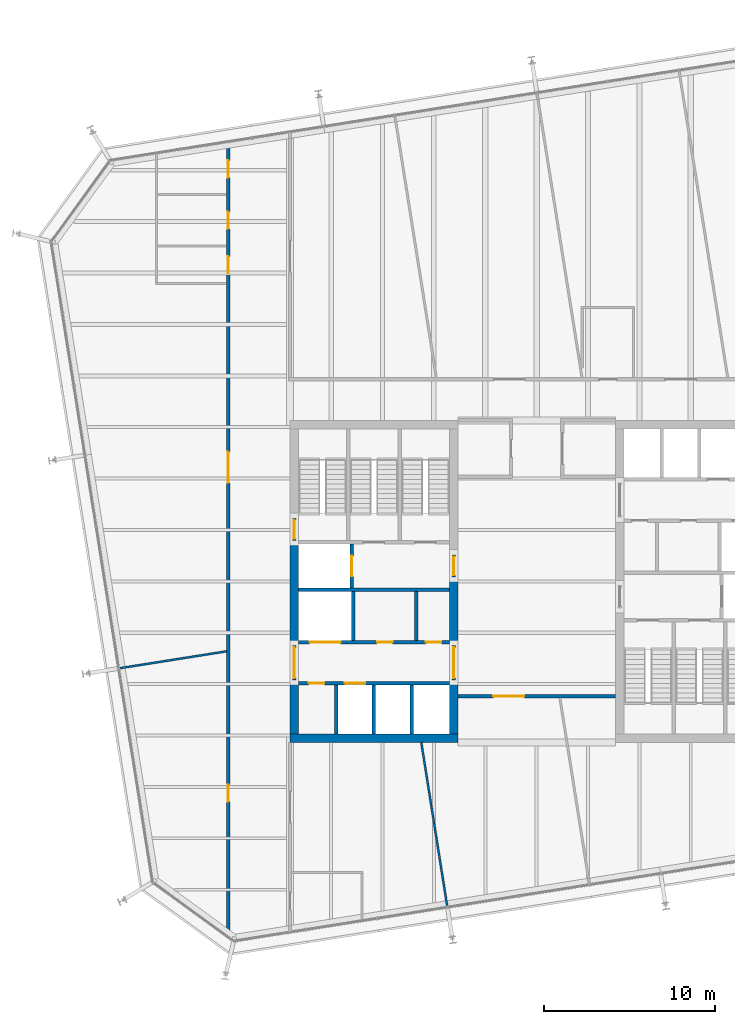
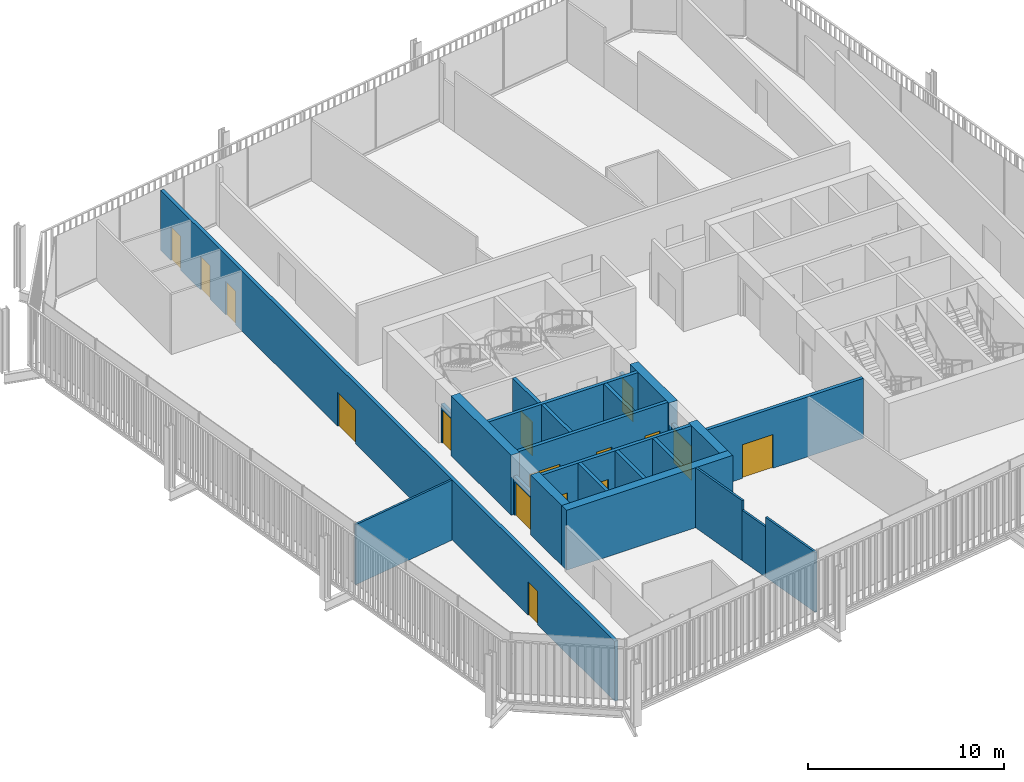
# One storey, part 16 of 20: 24 walls, 16 doors, 16 openings.
"""IFC4 building model written with IfcOpenShell, lengths in metres."""

from ifc_helpers import new_model, si_unit, direction, frame, frame_2d, origin, place, context, subcontext, project, spatial, rectangle, extrude, material, layer, layer_set, type_object, element, fill, save


model = new_model("IFC4")

# Units and contexts
model_context = context("Model", 3, precision=1e-05, world=origin(), true_north=direction((0.0, 1.0)))
body_context = subcontext(model_context, "Body", "Model", "MODEL_VIEW")
ifc_project = project(units=[si_unit("LENGTHUNIT", "METRE"), si_unit("AREAUNIT", "SQUARE_METRE"), si_unit("VOLUMEUNIT", "CUBIC_METRE"), si_unit("PLANEANGLEUNIT", "RADIAN"), si_unit("MASSUNIT", "GRAM", prefix="KILO")], contexts=[model_context])

# Site, building, storey
site_placement = place(None, origin())
site = spatial("IfcSite", under=ifc_project, at=site_placement, CompositionType="ELEMENT")
building_placement = place(site_placement, origin())
building = spatial("IfcBuilding", under=site, at=building_placement, Name="Millrace Tower", CompositionType="ELEMENT")
storey_placement = place(building_placement, frame((0.0, 0.0, 251.300048828125)))
storey = spatial("IfcBuildingStorey", under=building, at=storey_placement, Name="L57", CompositionType="ELEMENT", Elevation=251.300048828125)

# Walls
ifc_material_1 = material(Name="Concrete C60", Category="concrete")
ifc_layer_1 = layer(ifc_material_1, 0.5)
ifc_layer_set_1 = layer_set([ifc_layer_1], Name="Concrete C60")
wall_type_1 = type_object("IfcWallType", Name="Core wall 500 Concrete C60", PredefinedType="SHEAR", material=ifc_layer_set_1)
wall_1_placement = place(storey_placement, frame((-14.39990234375, -9.14990234375, 0.0), z_axis=(0.0, 0.0, 1.0), x_axis=(1.0, 0.0, 0.0)))
element("IfcWall", 1, at=wall_1_placement, inside=storey, type_object=wall_type_1, Name="Core wall W L57", PredefinedType="SHEAR", context=body_context, shape_type="SweptSolid", body=[
    extrude(rectangle(XDim=9.7998046875, YDim=0.5, at=frame_2d((4.89990234375, 0.0))), origin(), (0.0, 0.0, 1.0), 3.739990234375),
])
wall_2_placement = place(storey_placement, frame((-14.14990234375, -8.89990234375, 0.0), z_axis=(0.0, 0.0, 1.0), x_axis=(0.0, 1.0, 0.0)))
element("IfcWall", 2, at=wall_2_placement, inside=storey, type_object=wall_type_1, Name="Core wall W L57", PredefinedType="SHEAR", context=body_context, shape_type="SweptSolid", body=[
    extrude(rectangle(XDim=3.14990234375, YDim=0.5, at=frame_2d((1.574951171875, 0.0))), origin(), (0.0, 0.0, 1.0), 3.739990234375),
])
wall_3_placement = place(storey_placement, frame((-14.14990234375, -3.75, 0.0), z_axis=(0.0, 0.0, 1.0), x_axis=(0.0, 1.0, 0.0)))
element("IfcWall", 3, at=wall_3_placement, inside=storey, type_object=wall_type_1, Name="Core wall W L57", PredefinedType="SHEAR", context=body_context, shape_type="SweptSolid", body=[
    extrude(rectangle(XDim=6.1298828125, YDim=0.5, at=frame_2d((3.06494140625, 0.0))), origin(), (0.0, 0.0, 1.0), 3.739990234375),
])
wall_4_placement = place(storey_placement, frame((-4.85009765625, -8.89990234375, 0.0), z_axis=(0.0, 0.0, 1.0), x_axis=(0.0, 1.0, 0.0)))
element("IfcWall", 4, at=wall_4_placement, inside=storey, type_object=wall_type_1, Name="Core wall W L57", PredefinedType="SHEAR", context=body_context, shape_type="SweptSolid", body=[
    extrude(rectangle(XDim=3.14990234375, YDim=0.5, at=frame_2d((1.574951171875, 0.0))), origin(), (0.0, 0.0, 1.0), 3.739990234375),
])
wall_5_placement = place(storey_placement, frame((-4.85009765625, -3.75, 0.0), z_axis=(0.0, 0.0, 1.0), x_axis=(0.0, 1.0, 0.0)))
element("IfcWall", 5, at=wall_5_placement, inside=storey, type_object=wall_type_1, Name="Core wall W L57", PredefinedType="SHEAR", context=body_context, shape_type="SweptSolid", body=[
    extrude(rectangle(XDim=4.0, YDim=0.5, at=frame_2d((2.0, 0.0))), origin(), (0.0, 0.0, 1.0), 3.739990234375),
])

# Wall, opening, door
ifc_material_2 = material(Name="Masonry partition, fire-rated", Category="masonry")
ifc_layer_2 = layer(ifc_material_2, 0.199951171875)
ifc_layer_set_2 = layer_set([ifc_layer_2], Name="Masonry partition, fire-rated")
wall_type_2 = type_object("IfcWallType", Name="Corridor wall 200", PredefinedType="PARTITIONING", material=ifc_layer_set_2)
wall_6_placement = place(storey_placement, frame((-4.60009765625, -6.699951171875, 0.0), z_axis=(0.0, 0.0, 1.0), x_axis=(1.0, 0.0, 0.0)))
wall_6 = element("IfcWall", 6, at=wall_6_placement, inside=storey, type_object=wall_type_2, Name="Corridor wall L57", PredefinedType="PARTITIONING", context=body_context, shape_type="SweptSolid", body=[
    extrude(rectangle(XDim=9.2001953125, YDim=0.199951171875, at=frame_2d((4.60009765625, 0.0))), origin(), (0.0, 0.0, 1.0), 3.739990234375),
])
opening_1_placement = place(wall_6_placement, frame((2.070068359375, 0.0, 0.0)))
opening_1 = element("IfcOpeningElement", 7, at=opening_1_placement, cuts=wall_6, Name="Opening 57-P013", PredefinedType="OPENING", context=body_context, shape_type="SweptSolid", body=[
    extrude(rectangle(XDim=1.800048828125, YDim=2.10009765625, at=frame_2d((0.89990234375, 1.050048828125))), frame((0.0, 0.10986328125, 0.0), z_axis=(0.0, -1.0, 0.0), x_axis=(1.0, 0.0, 0.0)), (0.0, 0.0, 1.0), 0.219970703125),
])
ifc_material_3 = material(Name="Steel door set, fire-rated", Category="steel")
door_type_1 = type_object("IfcDoorType", Name="Corridor door 1800 x 2100", OperationType="DOUBLE_DOOR_SINGLE_SWING", PredefinedType="DOOR", material=ifc_material_3)
door_1_placement = place(opening_1_placement, frame((1.800048828125, 0.0, 0.0), z_axis=(0.0, 0.0, 1.0), x_axis=(-1.0, 0.0, 0.0)))
door_1 = element("IfcDoor", 8, at=door_1_placement, inside=storey, type_object=door_type_1, Name="Door 57-P013", OperationType="DOUBLE_DOOR_SINGLE_SWING", OverallHeight=2.10009765625, OverallWidth=1.800048828125, PredefinedType="DOOR", context=body_context, shape_type="SweptSolid", body=[
    extrude(rectangle(XDim=1.800048828125, YDim=2.10009765625, at=frame_2d((0.89990234375, 1.050048828125))), frame((0.0, 0.02490234375, 0.0), z_axis=(0.0, -1.0, 0.0), x_axis=(1.0, 0.0, 0.0)), (0.0, 0.0, 1.0), 0.050048828125),
])
fill(opening_1, door_1)

# Wall, openings, doors
wall_7_placement = place(storey_placement, frame((-18.0, -20.72021484375, 0.0), z_axis=(0.0, 0.0, 1.0), x_axis=(0.0, 1.0, 0.0)))
wall_7 = element("IfcWall", 9, at=wall_7_placement, inside=storey, type_object=wall_type_2, Name="Corridor wall L57", PredefinedType="PARTITIONING", context=body_context, shape_type="SweptSolid", body=[
    extrude(rectangle(XDim=46.34814453125, YDim=0.199951171875, at=frame_2d((23.174072265625, 0.0))), origin(), (0.0, 0.0, 1.0), 3.739990234375),
])
opening_2_placement = place(wall_7_placement, frame((7.857177734375, 0.0, 0.0)))
opening_2 = element("IfcOpeningElement", 10, at=opening_2_placement, cuts=wall_7, Name="Opening 57-P003", PredefinedType="OPENING", context=body_context, shape_type="SweptSolid", body=[
    extrude(rectangle(XDim=1.0, YDim=2.10009765625, at=frame_2d((0.5, 1.050048828125))), frame((0.0, 0.10986328125, 0.0), z_axis=(0.0, -1.0, 0.0), x_axis=(1.0, 0.0, 0.0)), (0.0, 0.0, 1.0), 0.219970703125),
])
opening_3_placement = place(wall_7_placement, frame((26.474853515625, 0.0, 0.0)))
opening_3 = element("IfcOpeningElement", 11, at=opening_3_placement, cuts=wall_7, Name="Opening 57-P004", PredefinedType="OPENING", context=body_context, shape_type="SweptSolid", body=[
    extrude(rectangle(XDim=1.800048828125, YDim=2.10009765625, at=frame_2d((0.89990234375, 1.050048828125))), frame((0.0, 0.10986328125, 0.0), z_axis=(0.0, -1.0, 0.0), x_axis=(1.0, 0.0, 0.0)), (0.0, 0.0, 1.0), 0.219970703125),
])
opening_4_placement = place(wall_7_placement, frame((44.29736328125, 0.0, 0.0)))
opening_4 = element("IfcOpeningElement", 12, at=opening_4_placement, cuts=wall_7, Name="Opening 57-P015", PredefinedType="OPENING", context=body_context, shape_type="SweptSolid", body=[
    extrude(rectangle(XDim=1.0, YDim=2.10009765625, at=frame_2d((0.5, 1.050048828125))), frame((0.0, 0.10986328125, 0.0), z_axis=(0.0, -1.0, 0.0), x_axis=(1.0, 0.0, 0.0)), (0.0, 0.0, 1.0), 0.219970703125),
])
opening_5_placement = place(wall_7_placement, frame((41.29736328125, 0.0, 0.0)))
opening_5 = element("IfcOpeningElement", 13, at=opening_5_placement, cuts=wall_7, Name="Opening 57-P016", PredefinedType="OPENING", context=body_context, shape_type="SweptSolid", body=[
    extrude(rectangle(XDim=1.0, YDim=2.10009765625, at=frame_2d((0.5, 1.050048828125))), frame((0.0, 0.10986328125, 0.0), z_axis=(0.0, -1.0, 0.0), x_axis=(1.0, 0.0, 0.0)), (0.0, 0.0, 1.0), 0.219970703125),
])
opening_6_placement = place(wall_7_placement, frame((38.697265625, 0.0, 0.0)))
opening_6 = element("IfcOpeningElement", 14, at=opening_6_placement, cuts=wall_7, Name="Opening 57-P017", PredefinedType="OPENING", context=body_context, shape_type="SweptSolid", body=[
    extrude(rectangle(XDim=1.0, YDim=2.10009765625, at=frame_2d((0.5, 1.050048828125))), frame((0.0, 0.10986328125, 0.0), z_axis=(0.0, -1.0, 0.0), x_axis=(1.0, 0.0, 0.0)), (0.0, 0.0, 1.0), 0.219970703125),
])
ifc_material_4 = material(Name="Steel door set, fire-rated", Category="steel")
door_type_2 = type_object("IfcDoorType", Name="Corridor door 1000 x 2100", OperationType="SINGLE_SWING_LEFT", PredefinedType="DOOR", material=ifc_material_4)
door_2_placement = place(opening_2_placement, origin())
door_2 = element("IfcDoor", 15, at=door_2_placement, inside=storey, type_object=door_type_2, Name="Door 57-P003", OperationType="SINGLE_SWING_LEFT", OverallHeight=2.10009765625, OverallWidth=1.0, PredefinedType="DOOR", context=body_context, shape_type="SweptSolid", body=[
    extrude(rectangle(XDim=1.0, YDim=2.10009765625, at=frame_2d((0.5, 1.050048828125))), frame((0.0, 0.02490234375, 0.0), z_axis=(0.0, -1.0, 0.0), x_axis=(1.0, 0.0, 0.0)), (0.0, 0.0, 1.0), 0.050048828125),
])
fill(opening_2, door_2)
door_3_placement = place(opening_4_placement, origin())
door_3 = element("IfcDoor", 16, at=door_3_placement, inside=storey, type_object=door_type_2, Name="Door 57-P015", OperationType="SINGLE_SWING_RIGHT", OverallHeight=2.10009765625, OverallWidth=1.0, PredefinedType="DOOR", context=body_context, shape_type="SweptSolid", body=[
    extrude(rectangle(XDim=1.0, YDim=2.10009765625, at=frame_2d((0.5, 1.050048828125))), frame((0.0, 0.02490234375, 0.0), z_axis=(0.0, -1.0, 0.0), x_axis=(1.0, 0.0, 0.0)), (0.0, 0.0, 1.0), 0.050048828125),
])
fill(opening_4, door_3)
door_4_placement = place(opening_5_placement, origin())
door_4 = element("IfcDoor", 17, at=door_4_placement, inside=storey, type_object=door_type_2, Name="Door 57-P016", OperationType="SINGLE_SWING_RIGHT", OverallHeight=2.10009765625, OverallWidth=1.0, PredefinedType="DOOR", context=body_context, shape_type="SweptSolid", body=[
    extrude(rectangle(XDim=1.0, YDim=2.10009765625, at=frame_2d((0.5, 1.050048828125))), frame((0.0, 0.02490234375, 0.0), z_axis=(0.0, -1.0, 0.0), x_axis=(1.0, 0.0, 0.0)), (0.0, 0.0, 1.0), 0.050048828125),
])
fill(opening_5, door_4)
door_5_placement = place(opening_6_placement, origin())
door_5 = element("IfcDoor", 18, at=door_5_placement, inside=storey, type_object=door_type_2, Name="Door 57-P017", OperationType="SINGLE_SWING_RIGHT", OverallHeight=2.10009765625, OverallWidth=1.0, PredefinedType="DOOR", context=body_context, shape_type="SweptSolid", body=[
    extrude(rectangle(XDim=1.0, YDim=2.10009765625, at=frame_2d((0.5, 1.050048828125))), frame((0.0, 0.02490234375, 0.0), z_axis=(0.0, -1.0, 0.0), x_axis=(1.0, 0.0, 0.0)), (0.0, 0.0, 1.0), 0.050048828125),
])
fill(opening_6, door_5)
door_6_placement = place(opening_3_placement, frame((1.800048828125, 0.0, 0.0), z_axis=(0.0, 0.0, 1.0), x_axis=(-1.0, 0.0, 0.0)))
door_6 = element("IfcDoor", 19, at=door_6_placement, inside=storey, type_object=door_type_1, Name="Door 57-P004", OperationType="DOUBLE_DOOR_SINGLE_SWING", OverallHeight=2.10009765625, OverallWidth=1.800048828125, PredefinedType="DOOR", context=body_context, shape_type="SweptSolid", body=[
    extrude(rectangle(XDim=1.800048828125, YDim=2.10009765625, at=frame_2d((0.89990234375, 1.050048828125))), frame((0.0, 0.02490234375, 0.0), z_axis=(0.0, -1.0, 0.0), x_axis=(1.0, 0.0, 0.0)), (0.0, 0.0, 1.0), 0.050048828125),
])
fill(opening_3, door_6)

ifc_material_5 = material(Name="Masonry partition, fire-rated", Category="masonry")
ifc_layer_3 = layer(ifc_material_5, 0.199951171875)
ifc_layer_set_3 = layer_set([ifc_layer_3], Name="Masonry partition, fire-rated")
wall_type_3 = type_object("IfcWallType", Name="Lift shaft wall 200", PredefinedType="PARTITIONING", material=ifc_layer_set_3)
wall_8_placement = place(storey_placement, frame((-13.89990234375, -5.949951171875, 0.0), z_axis=(0.0, 0.0, 1.0), x_axis=(1.0, 0.0, 0.0)))
wall_8 = element("IfcWall", 20, at=wall_8_placement, inside=storey, type_object=wall_type_3, Name="Lift shaft wall W L57", PredefinedType="PARTITIONING", context=body_context, shape_type="SweptSolid", body=[
    extrude(rectangle(XDim=8.7998046875, YDim=0.199951171875, at=frame_2d((4.39990234375, 0.0))), origin(), (0.0, 0.0, 1.0), 3.739990234375),
])
opening_7_placement = place(wall_8_placement, frame((2.699951171875, 0.0, 0.0)))
opening_7 = element("IfcOpeningElement", 21, at=opening_7_placement, cuts=wall_8, Name="Opening 57-LD02", PredefinedType="OPENING", context=body_context, shape_type="SweptSolid", body=[
    extrude(rectangle(XDim=1.199951171875, YDim=2.10009765625, at=frame_2d((0.60009765625, 1.050048828125))), frame((0.0, 0.10986328125, 0.0), z_axis=(0.0, -1.0, 0.0), x_axis=(1.0, 0.0, 0.0)), (0.0, 0.0, 1.0), 0.219970703125),
])
opening_8_placement = place(wall_8_placement, frame((0.60009765625, 0.0, 0.0)))
opening_8 = element("IfcOpeningElement", 22, at=opening_8_placement, cuts=wall_8, Name="Opening 57-C005", PredefinedType="OPENING", context=body_context, shape_type="SweptSolid", body=[
    extrude(rectangle(XDim=0.89990234375, YDim=2.10009765625, at=frame_2d((0.449951171875, 1.050048828125))), frame((0.0, 0.10986328125, 0.0), z_axis=(0.0, -1.0, 0.0), x_axis=(1.0, 0.0, 0.0)), (0.0, 0.0, 1.0), 0.219970703125),
])
ifc_material_6 = material(Name="Stainless steel, fire-rated", Category="steel")
door_type_3 = type_object("IfcDoorType", Name="Lift landing door 1200 x 2100", OperationType="DOUBLE_DOOR_SLIDING", PredefinedType="DOOR", material=ifc_material_6)
door_7_placement = place(opening_7_placement, origin())
door_7 = element("IfcDoor", 23, at=door_7_placement, inside=storey, type_object=door_type_3, Name="Lift landing door LF2 L57", OperationType="DOUBLE_DOOR_SLIDING", OverallHeight=2.10009765625, OverallWidth=1.199951171875, PredefinedType="DOOR", context=body_context, shape_type="SweptSolid", body=[
    extrude(rectangle(XDim=1.199951171875, YDim=2.10009765625, at=frame_2d((0.60009765625, 1.050048828125))), frame((0.0, 0.02490234375, 0.0), z_axis=(0.0, -1.0, 0.0), x_axis=(1.0, 0.0, 0.0)), (0.0, 0.0, 1.0), 0.050048828125),
])
fill(opening_7, door_7)
ifc_material_7 = material(Name="Steel door, fire-rated", Category="steel")
door_type_4 = type_object("IfcDoorType", Name="Service room door 900 x 2100", OperationType="SINGLE_SWING_LEFT", PredefinedType="DOOR", material=ifc_material_7)
door_8_placement = place(opening_8_placement, frame((0.89990234375, 0.0, 0.0), z_axis=(0.0, 0.0, 1.0), x_axis=(-1.0, 0.0, 0.0)))
door_8 = element("IfcDoor", 24, at=door_8_placement, inside=storey, type_object=door_type_4, Name="Service room door 57-C005", OperationType="SINGLE_SWING_RIGHT", OverallHeight=2.10009765625, OverallWidth=0.89990234375, PredefinedType="DOOR", context=body_context, shape_type="SweptSolid", body=[
    extrude(rectangle(XDim=0.89990234375, YDim=2.10009765625, at=frame_2d((0.449951171875, 1.050048828125))), frame((0.0, 0.02490234375, 0.0), z_axis=(0.0, -1.0, 0.0), x_axis=(1.0, 0.0, 0.0)), (0.0, 0.0, 1.0), 0.050048828125),
])
fill(opening_8, door_8)

wall_9_placement = place(storey_placement, frame((-13.89990234375, -3.550048828125, 0.0), z_axis=(0.0, 0.0, 1.0), x_axis=(1.0, 0.0, 0.0)))
wall_9 = element("IfcWall", 25, at=wall_9_placement, inside=storey, type_object=wall_type_3, Name="Lift shaft wall W L57", PredefinedType="PARTITIONING", context=body_context, shape_type="SweptSolid", body=[
    extrude(rectangle(XDim=8.7998046875, YDim=0.199951171875, at=frame_2d((4.39990234375, 0.0))), origin(), (0.0, 0.0, 1.0), 3.739990234375),
])
opening_9_placement = place(wall_9_placement, frame((0.64990234375, 0.0, 0.0)))
opening_9 = element("IfcOpeningElement", 26, at=opening_9_placement, cuts=wall_9, Name="Opening 57-LD05", PredefinedType="OPENING", context=body_context, shape_type="SweptSolid", body=[
    extrude(rectangle(XDim=1.800048828125, YDim=2.10009765625, at=frame_2d((0.89990234375, 1.050048828125))), frame((0.0, 0.10986328125, 0.0), z_axis=(0.0, -1.0, 0.0), x_axis=(1.0, 0.0, 0.0)), (0.0, 0.0, 1.0), 0.219970703125),
])
opening_10_placement = place(wall_9_placement, frame((4.58740234375, 0.0, 0.0)))
opening_10 = element("IfcOpeningElement", 27, at=opening_10_placement, cuts=wall_9, Name="Opening 57-C006", PredefinedType="OPENING", context=body_context, shape_type="SweptSolid", body=[
    extrude(rectangle(XDim=0.89990234375, YDim=2.10009765625, at=frame_2d((0.449951171875, 1.050048828125))), frame((0.0, 0.10986328125, 0.0), z_axis=(0.0, -1.0, 0.0), x_axis=(1.0, 0.0, 0.0)), (0.0, 0.0, 1.0), 0.219970703125),
])
opening_11_placement = place(wall_9_placement, frame((7.4375, 0.0, 0.0)))
opening_11 = element("IfcOpeningElement", 28, at=opening_11_placement, cuts=wall_9, Name="Opening 57-C007", PredefinedType="OPENING", context=body_context, shape_type="SweptSolid", body=[
    extrude(rectangle(XDim=0.89990234375, YDim=2.10009765625, at=frame_2d((0.449951171875, 1.050048828125))), frame((0.0, 0.10986328125, 0.0), z_axis=(0.0, -1.0, 0.0), x_axis=(1.0, 0.0, 0.0)), (0.0, 0.0, 1.0), 0.219970703125),
])
ifc_material_8 = material(Name="Stainless steel, fire-rated", Category="steel")
door_type_5 = type_object("IfcDoorType", Name="Lift landing door 1800 x 2100", OperationType="DOUBLE_DOOR_SLIDING", PredefinedType="DOOR", material=ifc_material_8)
door_9_placement = place(opening_9_placement, origin())
door_9 = element("IfcDoor", 29, at=door_9_placement, inside=storey, type_object=door_type_5, Name="Lift landing door LF5 L57", OperationType="DOUBLE_DOOR_SLIDING", OverallHeight=2.10009765625, OverallWidth=1.800048828125, PredefinedType="DOOR", context=body_context, shape_type="SweptSolid", body=[
    extrude(rectangle(XDim=1.800048828125, YDim=2.10009765625, at=frame_2d((0.89990234375, 1.050048828125))), frame((0.0, 0.02490234375, 0.0), z_axis=(0.0, -1.0, 0.0), x_axis=(1.0, 0.0, 0.0)), (0.0, 0.0, 1.0), 0.050048828125),
])
fill(opening_9, door_9)
door_10_placement = place(opening_10_placement, origin())
door_10 = element("IfcDoor", 30, at=door_10_placement, inside=storey, type_object=door_type_4, Name="Service room door 57-C006", OperationType="SINGLE_SWING_RIGHT", OverallHeight=2.10009765625, OverallWidth=0.89990234375, PredefinedType="DOOR", context=body_context, shape_type="SweptSolid", body=[
    extrude(rectangle(XDim=0.89990234375, YDim=2.10009765625, at=frame_2d((0.449951171875, 1.050048828125))), frame((0.0, 0.02490234375, 0.0), z_axis=(0.0, -1.0, 0.0), x_axis=(1.0, 0.0, 0.0)), (0.0, 0.0, 1.0), 0.050048828125),
])
fill(opening_10, door_10)
door_11_placement = place(opening_11_placement, origin())
door_11 = element("IfcDoor", 31, at=door_11_placement, inside=storey, type_object=door_type_4, Name="Service room door 57-C007", OperationType="SINGLE_SWING_RIGHT", OverallHeight=2.10009765625, OverallWidth=0.89990234375, PredefinedType="DOOR", context=body_context, shape_type="SweptSolid", body=[
    extrude(rectangle(XDim=0.89990234375, YDim=2.10009765625, at=frame_2d((0.449951171875, 1.050048828125))), frame((0.0, 0.02490234375, 0.0), z_axis=(0.0, -1.0, 0.0), x_axis=(1.0, 0.0, 0.0)), (0.0, 0.0, 1.0), 0.050048828125),
])
fill(opening_11, door_11)

# Wall
wall_10_placement = place(storey_placement, frame((-13.89990234375, -0.5, 0.0), z_axis=(0.0, 0.0, 1.0), x_axis=(1.0, 0.0, 0.0)))
element("IfcWall", 32, at=wall_10_placement, inside=storey, type_object=wall_type_3, Name="Lift shaft wall W L57", PredefinedType="PARTITIONING", context=body_context, shape_type="SweptSolid", body=[
    extrude(rectangle(XDim=8.7998046875, YDim=0.199951171875, at=frame_2d((4.39990234375, 0.0))), origin(), (0.0, 0.0, 1.0), 3.739990234375),
])

# Wall, opening, door
wall_11_placement = place(storey_placement, frame((-10.800048828125, -0.39990234375, 0.0), z_axis=(0.0, 0.0, 1.0), x_axis=(0.0, 1.0, 0.0)))
wall_11 = element("IfcWall", 33, at=wall_11_placement, inside=storey, type_object=wall_type_3, Name="Lift shaft wall W L57", PredefinedType="PARTITIONING", context=body_context, shape_type="SweptSolid", body=[
    extrude(rectangle(XDim=2.579833984375, YDim=0.199951171875, at=frame_2d((1.2900390625, 0.0))), origin(), (0.0, 0.0, 1.0), 3.739990234375),
])
opening_12_placement = place(wall_11_placement, frame((0.68994140625, 0.0, 0.0)))
opening_12 = element("IfcOpeningElement", 34, at=opening_12_placement, cuts=wall_11, Name="Opening 57-LD08", PredefinedType="OPENING", context=body_context, shape_type="SweptSolid", body=[
    extrude(rectangle(XDim=1.199951171875, YDim=2.10009765625, at=frame_2d((0.60009765625, 1.050048828125))), frame((0.0, 0.10986328125, 0.0), z_axis=(0.0, -1.0, 0.0), x_axis=(1.0, 0.0, 0.0)), (0.0, 0.0, 1.0), 0.219970703125),
])
door_12_placement = place(opening_12_placement, origin())
door_12 = element("IfcDoor", 35, at=door_12_placement, inside=storey, type_object=door_type_3, Name="Lift landing door LF8 L57", OperationType="DOUBLE_DOOR_SLIDING", OverallHeight=2.10009765625, OverallWidth=1.199951171875, PredefinedType="DOOR", context=body_context, shape_type="SweptSolid", body=[
    extrude(rectangle(XDim=1.199951171875, YDim=2.10009765625, at=frame_2d((0.60009765625, 1.050048828125))), frame((0.0, 0.02490234375, 0.0), z_axis=(0.0, -1.0, 0.0), x_axis=(1.0, 0.0, 0.0)), (0.0, 0.0, 1.0), 0.050048828125),
])
fill(opening_12, door_12)

# Walls
for number, where, z_axis, x_axis, name in (
    (36, (-11.699951171875, -8.89990234375, 0.0), (0.0, 0.0, 1.0), (0.0, 1.0, 0.0), "Lift shaft wall W L57"),
    (37, (-9.5, -8.89990234375, 0.0), (0.0, 0.0, 1.0), (0.0, 1.0, 0.0), "Lift shaft wall W L57"),
    (38, (-7.300048828125, -8.89990234375, 0.0), (0.0, 0.0, 1.0), (0.0, 1.0, 0.0), "Lift shaft wall W L57"),
    (39, (-10.699951171875, -3.449951171875, 0.0), (0.0, 0.0, 1.0), (0.0, 1.0, 0.0), "Lift shaft wall W L57"),
):
    element("IfcWall", number, at=place(storey_placement, frame(where, z_axis=z_axis, x_axis=x_axis)), inside=storey, type_object=wall_type_3, Name=name, PredefinedType="PARTITIONING", context=body_context, shape_type="SweptSolid", body=[
        extrude(rectangle(XDim=2.849853515625, YDim=0.199951171875, at=frame_2d((1.4248046875, 0.0))), origin(), (0.0, 0.0, 1.0), 3.739990234375),
    ])

# Wall, opening, door
ifc_material_9 = material(Name="Masonry partition, fire-rated", Category="masonry")
ifc_layer_4 = layer(ifc_material_9, 0.199951171875)
ifc_layer_set_4 = layer_set([ifc_layer_4], Name="Masonry partition, fire-rated")
wall_type_4 = type_object("IfcWallType", Name="Lobby wall 200", PredefinedType="PARTITIONING", material=ifc_layer_set_4)
wall_12_placement = place(storey_placement, frame((-14.14990234375, -5.75, 0.0), z_axis=(0.0, 0.0, 1.0), x_axis=(0.0, 1.0, 0.0)))
wall_12 = element("IfcWall", 40, at=wall_12_placement, inside=storey, type_object=wall_type_4, Name="Lobby wall W L57", PredefinedType="PARTITIONING", context=body_context, shape_type="SweptSolid", body=[
    extrude(rectangle(XDim=2.0, YDim=0.199951171875, at=frame_2d((1.0, 0.0))), origin(), (0.0, 0.0, 1.0), 2.39990234375),
])
opening_13_placement = place(wall_12_placement, frame((0.10009765625, 0.0, 0.0)))
opening_13 = element("IfcOpeningElement", 41, at=opening_13_placement, cuts=wall_12, Name="Opening 57-C001", PredefinedType="OPENING", context=body_context, shape_type="SweptSolid", body=[
    extrude(rectangle(XDim=1.800048828125, YDim=2.10009765625, at=frame_2d((0.89990234375, 1.050048828125))), frame((0.0, 0.10986328125, 0.0), z_axis=(0.0, -1.0, 0.0), x_axis=(1.0, 0.0, 0.0)), (0.0, 0.0, 1.0), 0.219970703125),
])
ifc_material_10 = material(Name="Steel door, fire-rated", Category="steel")
door_type_6 = type_object("IfcDoorType", Name="Lobby door 1800 x 2100", OperationType="DOUBLE_DOOR_SINGLE_SWING", PredefinedType="DOOR", material=ifc_material_10)
door_13_placement = place(opening_13_placement, origin())
door_13 = element("IfcDoor", 42, at=door_13_placement, inside=storey, type_object=door_type_6, Name="Lobby door 57-C001", OperationType="DOUBLE_DOOR_SINGLE_SWING", OverallHeight=2.10009765625, OverallWidth=1.800048828125, PredefinedType="DOOR", context=body_context, shape_type="SweptSolid", body=[
    extrude(rectangle(XDim=1.800048828125, YDim=2.10009765625, at=frame_2d((0.89990234375, 1.050048828125))), frame((0.0, 0.02490234375, 0.0), z_axis=(0.0, -1.0, 0.0), x_axis=(1.0, 0.0, 0.0)), (0.0, 0.0, 1.0), 0.050048828125),
])
fill(opening_13, door_13)

wall_13_placement = place(storey_placement, frame((-4.85009765625, -5.75, 0.0), z_axis=(0.0, 0.0, 1.0), x_axis=(0.0, 1.0, 0.0)))
wall_13 = element("IfcWall", 43, at=wall_13_placement, inside=storey, type_object=wall_type_4, Name="Lobby wall W L57", PredefinedType="PARTITIONING", context=body_context, shape_type="SweptSolid", body=[
    extrude(rectangle(XDim=2.0, YDim=0.199951171875, at=frame_2d((1.0, 0.0))), origin(), (0.0, 0.0, 1.0), 2.39990234375),
])
opening_14_placement = place(wall_13_placement, frame((0.10009765625, 0.0, 0.0)))
opening_14 = element("IfcOpeningElement", 44, at=opening_14_placement, cuts=wall_13, Name="Opening 57-C003", PredefinedType="OPENING", context=body_context, shape_type="SweptSolid", body=[
    extrude(rectangle(XDim=1.800048828125, YDim=2.10009765625, at=frame_2d((0.89990234375, 1.050048828125))), frame((0.0, 0.10986328125, 0.0), z_axis=(0.0, -1.0, 0.0), x_axis=(1.0, 0.0, 0.0)), (0.0, 0.0, 1.0), 0.219970703125),
])
door_14_placement = place(opening_14_placement, frame((1.800048828125, 0.0, 0.0), z_axis=(0.0, 0.0, 1.0), x_axis=(-1.0, 0.0, 0.0)))
door_14 = element("IfcDoor", 45, at=door_14_placement, inside=storey, type_object=door_type_6, Name="Lobby door 57-C003", OperationType="DOUBLE_DOOR_SINGLE_SWING", OverallHeight=2.10009765625, OverallWidth=1.800048828125, PredefinedType="DOOR", context=body_context, shape_type="SweptSolid", body=[
    extrude(rectangle(XDim=1.800048828125, YDim=2.10009765625, at=frame_2d((0.89990234375, 1.050048828125))), frame((0.0, 0.02490234375, 0.0), z_axis=(0.0, -1.0, 0.0), x_axis=(1.0, 0.0, 0.0)), (0.0, 0.0, 1.0), 0.050048828125),
])
fill(opening_14, door_14)

wall_14_placement = place(storey_placement, frame((-4.85009765625, 0.25, 0.0), z_axis=(0.0, 0.0, 1.0), x_axis=(0.0, 1.0, 0.0)))
wall_14 = element("IfcWall", 46, at=wall_14_placement, inside=storey, type_object=wall_type_4, Name="Lobby wall W L57", PredefinedType="PARTITIONING", context=body_context, shape_type="SweptSolid", body=[
    extrude(rectangle(XDim=1.300048828125, YDim=0.199951171875, at=frame_2d((0.64990234375, 0.0))), origin(), (0.0, 0.0, 1.0), 2.39990234375),
])
opening_15_placement = place(wall_14_placement, frame((0.10009765625, 0.0, 0.0)))
opening_15 = element("IfcOpeningElement", 47, at=opening_15_placement, cuts=wall_14, Name="Opening 57-C004", PredefinedType="OPENING", context=body_context, shape_type="SweptSolid", body=[
    extrude(rectangle(XDim=1.10009765625, YDim=2.10009765625, at=frame_2d((0.550048828125, 1.050048828125))), frame((0.0, 0.10986328125, 0.0), z_axis=(0.0, -1.0, 0.0), x_axis=(1.0, 0.0, 0.0)), (0.0, 0.0, 1.0), 0.219970703125),
])
ifc_material_11 = material(Name="Steel door, fire-rated", Category="steel")
door_type_7 = type_object("IfcDoorType", Name="Lobby door 1100 x 2100", OperationType="SINGLE_SWING_LEFT", PredefinedType="DOOR", material=ifc_material_11)
door_15_placement = place(opening_15_placement, frame((1.10009765625, 0.0, 0.0), z_axis=(0.0, 0.0, 1.0), x_axis=(-1.0, 0.0, 0.0)))
door_15 = element("IfcDoor", 48, at=door_15_placement, inside=storey, type_object=door_type_7, Name="Lobby door 57-C004", OperationType="SINGLE_SWING_RIGHT", OverallHeight=2.10009765625, OverallWidth=1.10009765625, PredefinedType="DOOR", context=body_context, shape_type="SweptSolid", body=[
    extrude(rectangle(XDim=1.10009765625, YDim=2.10009765625, at=frame_2d((0.550048828125, 1.050048828125))), frame((0.0, 0.02490234375, 0.0), z_axis=(0.0, -1.0, 0.0), x_axis=(1.0, 0.0, 0.0)), (0.0, 0.0, 1.0), 0.050048828125),
])
fill(opening_15, door_15)

# Walls
ifc_material_12 = material(Name="Gypsum board partition")
ifc_layer_5 = layer(ifc_material_12, 0.1201171875)
ifc_layer_set_5 = layer_set([ifc_layer_5], Name="Gypsum board partition")
wall_type_5 = type_object("IfcWallType", Name="Partition wall 120", PredefinedType="PARTITIONING", material=ifc_layer_set_5)
wall_15_placement = place(storey_placement, frame((-6.737060546875, -9.39990234375, 0.0), z_axis=(0.0, 0.0, 1.0), x_axis=(0.156382059487, -0.987696639394, 0.0)))
element("IfcWall", 49, at=wall_15_placement, inside=storey, type_object=wall_type_5, Name="Partition wall L57", PredefinedType="PARTITIONING", context=body_context, shape_type="SweptSolid", body=[
    extrude(rectangle(XDim=3.765625, YDim=0.1201171875, at=frame_2d((1.8828125, 0.0))), origin(), (0.0, 0.0, 1.0), 3.739990234375),
])
wall_16_placement = place(storey_placement, frame((-6.148193359375, -13.119140625, 0.0), z_axis=(0.0, 0.0, 1.0), x_axis=(0.1562533807, -0.987717004521, 0.0)))
element("IfcWall", 50, at=wall_16_placement, inside=storey, type_object=wall_type_5, Name="Partition wall L57", PredefinedType="PARTITIONING", context=body_context, shape_type="SweptSolid", body=[
    extrude(rectangle(XDim=1.896728515625, YDim=0.1201171875, at=frame_2d((0.9482421875, 0.0))), origin(), (0.0, 0.0, 1.0), 3.140625),
])
wall_17_placement = place(storey_placement, frame((-5.851806640625, -14.99267578125, 0.0), z_axis=(0.0, 0.0, 1.0), x_axis=(0.15636605837, -0.987699172719, 0.0)))
element("IfcWall", 51, at=wall_17_placement, inside=storey, type_object=wall_type_5, Name="Partition wall L57", PredefinedType="PARTITIONING", context=body_context, shape_type="SweptSolid", body=[
    extrude(rectangle(XDim=4.039306640625, YDim=0.1201171875, at=frame_2d((2.01953125, 0.0))), origin(), (0.0, 0.0, 1.0), 3.739990234375),
])
wall_18_placement = place(storey_placement, frame((-24.361083984375, -5.07470703125, 0.0), z_axis=(0.0, 0.0, 1.0), x_axis=(0.98770951775, 0.156300699125, 0.0)))
element("IfcWall", 52, at=wall_18_placement, inside=storey, type_object=wall_type_5, Name="Partition wall L57", PredefinedType="PARTITIONING", context=body_context, shape_type="SweptSolid", body=[
    extrude(rectangle(XDim=6.340087890625, YDim=0.1201171875, at=frame_2d((3.169921875, 0.0))), origin(), (0.0, 0.0, 1.0), 3.739990234375),
])
ifc_material_13 = material(Name="Masonry partition, fire-rated", Category="masonry")
ifc_layer_6 = layer(ifc_material_13, 0.199951171875)
ifc_layer_set_6 = layer_set([ifc_layer_6], Name="Masonry partition, fire-rated")
wall_type_6 = type_object("IfcWallType", Name="Room partition 200", PredefinedType="PARTITIONING", material=ifc_layer_set_6)
wall_19_placement = place(storey_placement, frame((-7.02490234375, -3.449951171875, 0.0), z_axis=(0.0, 0.0, 1.0), x_axis=(0.0, 1.0, 0.0)))
element("IfcWall", 53, at=wall_19_placement, inside=storey, type_object=wall_type_6, Name="Room partition W L57", PredefinedType="PARTITIONING", context=body_context, shape_type="SweptSolid", body=[
    extrude(rectangle(XDim=2.849853515625, YDim=0.199951171875, at=frame_2d((1.4248046875, 0.0))), origin(), (0.0, 0.0, 1.0), 3.739990234375),
])

# Wall, opening, door
ifc_material_14 = material(Name="Concrete C40", Category="concrete")
ifc_layer_7 = layer(ifc_material_14, 0.199951171875)
ifc_layer_set_7 = layer_set([ifc_layer_7], Name="Concrete C40")
wall_type_7 = type_object("IfcWallType", Name="Stair enclosure wall 200 Concrete C40", PredefinedType="SHEAR", material=ifc_layer_set_7)
wall_20_placement = place(storey_placement, frame((-14.14990234375, 2.3798828125, 0.0), z_axis=(0.0, 0.0, 1.0), x_axis=(0.0, 1.0, 0.0)))
wall_20 = element("IfcWall", 54, at=wall_20_placement, inside=storey, type_object=wall_type_7, Name="Stair enclosure wall W L57", PredefinedType="SHEAR", context=body_context, shape_type="SweptSolid", body=[
    extrude(rectangle(XDim=1.300048828125, YDim=0.199951171875, at=frame_2d((0.64990234375, 0.0))), origin(), (0.0, 0.0, 1.0), 2.39990234375),
])
opening_16_placement = place(wall_20_placement, frame((0.10009765625, 0.0, 0.0)))
opening_16 = element("IfcOpeningElement", 55, at=opening_16_placement, cuts=wall_20, Name="Opening 57-C002", PredefinedType="OPENING", context=body_context, shape_type="SweptSolid", body=[
    extrude(rectangle(XDim=1.10009765625, YDim=2.10009765625, at=frame_2d((0.550048828125, 1.050048828125))), frame((0.0, 0.10986328125, 0.0), z_axis=(0.0, -1.0, 0.0), x_axis=(1.0, 0.0, 0.0)), (0.0, 0.0, 1.0), 0.219970703125),
])
ifc_material_15 = material(Name="Steel door, fire-rated", Category="steel")
door_type_8 = type_object("IfcDoorType", Name="Stair door 1100 x 2100", OperationType="SINGLE_SWING_LEFT", PredefinedType="DOOR", material=ifc_material_15)
door_16_placement = place(opening_16_placement, origin())
door_16 = element("IfcDoor", 56, at=door_16_placement, inside=storey, type_object=door_type_8, Name="Stair door 57-C002", OperationType="SINGLE_SWING_LEFT", OverallHeight=2.10009765625, OverallWidth=1.10009765625, PredefinedType="DOOR", context=body_context, shape_type="SweptSolid", body=[
    extrude(rectangle(XDim=1.10009765625, YDim=2.10009765625, at=frame_2d((0.550048828125, 1.050048828125))), frame((0.0, 0.02490234375, 0.0), z_axis=(0.0, -1.0, 0.0), x_axis=(1.0, 0.0, 0.0)), (0.0, 0.0, 1.0), 0.050048828125),
])
fill(opening_16, door_16)

save(model, "model.ifc")
